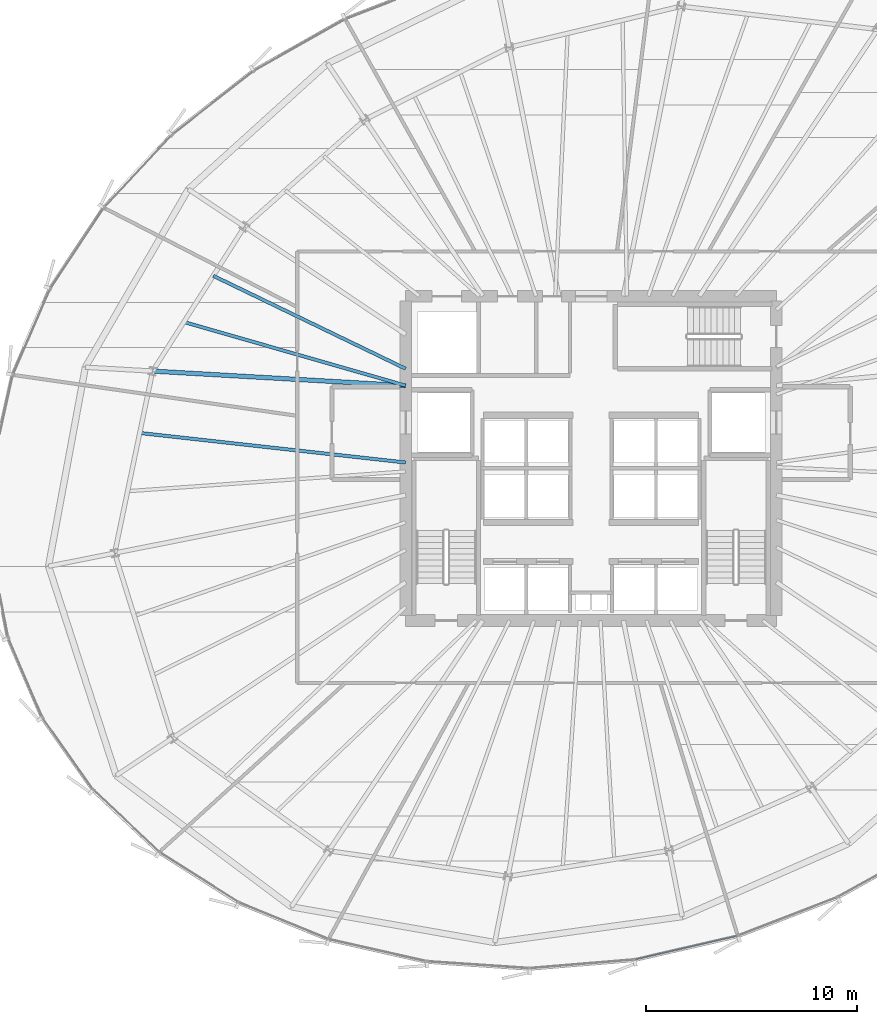
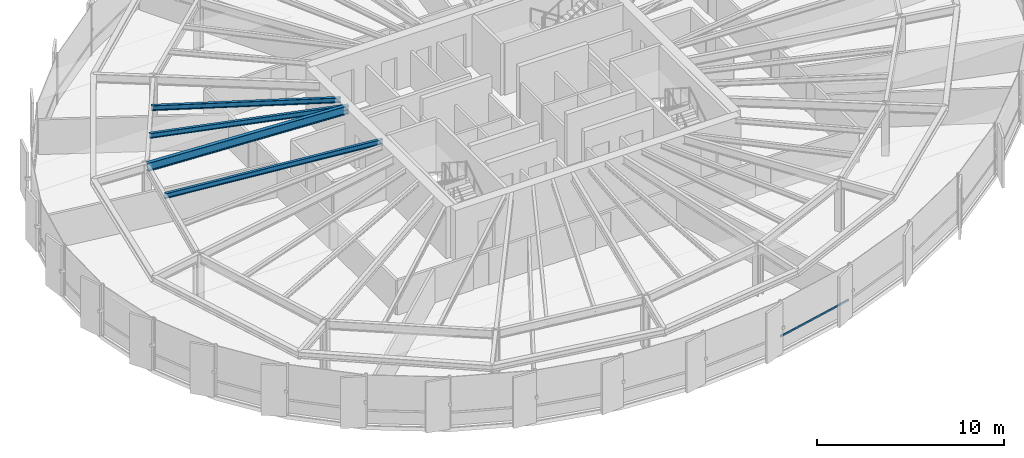
# One storey, part 11 of 35: 4 beams, 1 member, 1 element without a shape of its own.
"""IFC4 building model written with IfcOpenShell, lengths in metres."""

from ifc_helpers import new_model, si_unit, direction, frame, origin, origin_2d, place, context, subcontext, project, spatial, hollow_rectangle, i_section, extrude, source, transform, mapped, material, layer, layer_set, material_profile, profile_set, type_object, element, aggregate, save


model = new_model("IFC4")

# Units and contexts
model_context = context("Model", 3, precision=1e-05, world=origin(), true_north=direction((0.0, 1.0)))
body_context = subcontext(model_context, "Body", "Model", "MODEL_VIEW")
ifc_project = project(units=[si_unit("LENGTHUNIT", "METRE"), si_unit("AREAUNIT", "SQUARE_METRE"), si_unit("VOLUMEUNIT", "CUBIC_METRE"), si_unit("PLANEANGLEUNIT", "RADIAN"), si_unit("MASSUNIT", "GRAM", prefix="KILO"), si_unit("THERMODYNAMICTEMPERATUREUNIT", "KELVIN")], contexts=[model_context])

# Site, building, storey
site_placement = place(None, origin())
site = spatial("IfcSite", under=ifc_project, at=site_placement, CompositionType="ELEMENT")
building_placement = place(site_placement, origin())
building = spatial("IfcBuilding", under=site, at=building_placement, Name="Kethvar Cultural Tower", CompositionType="ELEMENT")
storey_placement = place(building_placement, frame((0.0, 0.0, 103.60009765625)))
storey = spatial("IfcBuildingStorey", under=building, at=storey_placement, Name="L25", CompositionType="ELEMENT", Elevation=103.60009765625)

# Beams
ifc_material_1 = material(Name="Steel S355J2", Category="steel")
ifc_material_profile_1 = material_profile(ifc_material_1, i_section(OverallWidth=0.2099609375, OverallDepth=0.550048828125, WebThickness=0.010986328125, FlangeThickness=0.01708984375, FilletRadius=0.02392578125, at=origin_2d()), Name="Steel S355J2 — IPE550")
ifc_profile_set_1 = profile_set([ifc_material_profile_1], Name="Steel S355J2 — IPE550")
beam_type_1 = type_object("IfcBeamType", Name="BM-IPE550", PredefinedType="BEAM", material=ifc_profile_set_1)
shared_shape_1 = source(origin(), body_context, "Body", "SweptSolid", [
    extrude(i_section(OverallWidth=0.2099609375, OverallDepth=0.550048828125, WebThickness=0.010986328125, FlangeThickness=0.01708984375, FilletRadius=0.02392578125, at=origin_2d()), origin(), (0.0, 0.0, 1.0), 12.03125),
])
beam_1_placement = place(storey_placement, frame((38.0, 31.25, 3.072998046875), z_axis=(-0.998355544741, 0.057325441856, 0.0), x_axis=(-0.057325441856, -0.998355544741, 0.0)))
element("IfcBeam", 1, at=beam_1_placement, inside=storey, type_object=beam_type_1, Name="L25 Primary Radial Beam RB-08", PredefinedType="BEAM", context=body_context, shape_type="MappedRepresentation", body=[
    mapped(shared_shape_1, transform((0.0, 0.0, 0.0), scale=1.0)),
])
ifc_material_profile_2 = material_profile(ifc_material_1, i_section(OverallWidth=0.159912109375, OverallDepth=0.330078125, WebThickness=0.007568359375, FlangeThickness=0.011474609375, FilletRadius=0.01806640625, at=origin_2d()), Name="Steel S355J2 — IPE330")
ifc_profile_set_2 = profile_set([ifc_material_profile_2], Name="Steel S355J2 — IPE330")
beam_type_2 = type_object("IfcBeamType", Name="BM-J330", PredefinedType="JOIST", material=ifc_profile_set_2)
shared_shape_2 = source(origin(), body_context, "Body", "SweptSolid", [
    extrude(i_section(OverallWidth=0.159912109375, OverallDepth=0.330078125, WebThickness=0.007568359375, FlangeThickness=0.011474609375, FilletRadius=0.01806640625, at=origin_2d()), origin(), (0.0, 0.0, 1.0), 10.1455078125),
])
beam_2_placement = place(storey_placement, frame((38.0, 32.05078125, 3.182861328125), z_axis=(-0.90045122575, 0.434956997927, 0.0), x_axis=(-0.434956997927, -0.90045122575, 0.0)))
element("IfcBeam", 2, at=beam_2_placement, inside=storey, type_object=beam_type_2, Name="L25 Composite Floor Joist J-07A", PredefinedType="JOIST", context=body_context, shape_type="MappedRepresentation", body=[
    mapped(shared_shape_2, transform((0.0, 0.0, 0.0), scale=1.0)),
])
shared_shape_3 = source(origin(), body_context, "Body", "SweptSolid", [
    extrude(i_section(OverallWidth=0.159912109375, OverallDepth=0.330078125, WebThickness=0.007568359375, FlangeThickness=0.011474609375, FilletRadius=0.01806640625, at=origin_2d()), origin(), (0.0, 0.0, 1.0), 10.95458984375),
])
beam_3_placement = place(storey_placement, frame((38.0, 31.25, 3.182861328125), z_axis=(-0.96124170623, 0.275707058676, 0.0), x_axis=(-0.275707058676, -0.96124170623, 0.0)))
element("IfcBeam", 3, at=beam_3_placement, inside=storey, type_object=beam_type_2, Name="L25 Composite Floor Joist J-07B", PredefinedType="JOIST", context=body_context, shape_type="MappedRepresentation", body=[
    mapped(shared_shape_3, transform((0.0, 0.0, 0.0), scale=1.0)),
])
shared_shape_4 = source(origin(), body_context, "Body", "SweptSolid", [
    extrude(i_section(OverallWidth=0.159912109375, OverallDepth=0.330078125, WebThickness=0.007568359375, FlangeThickness=0.011474609375, FilletRadius=0.01806640625, at=origin_2d()), origin(), (0.0, 0.0, 1.0), 12.7021484375),
])
beam_4_placement = place(storey_placement, frame((38.0, 27.60009765625, 3.182861328125), z_axis=(-0.993884906591, 0.110420978309, 0.0), x_axis=(-0.110420978309, -0.993884906591, 0.0)))
element("IfcBeam", 4, at=beam_4_placement, inside=storey, type_object=beam_type_2, Name="L25 Composite Floor Joist J-08A", PredefinedType="JOIST", context=body_context, shape_type="MappedRepresentation", body=[
    mapped(shared_shape_4, transform((0.0, 0.0, 0.0), scale=1.0)),
])

# Curtain wall, member
ifc_material_2 = material(Name="Aluminium 6063-T6", Category="aluminium")
ifc_layer = layer(ifc_material_2, 0.179931640625, Name="Aluminium 6063-T6", Category="aluminium")
ifc_layer_set = layer_set([ifc_layer], Name="Aluminium 6063-T6 (180 mm)")
curtain_wall_type = type_object("IfcCurtainWallType", Name="CW-SYS-03-Z2", PredefinedType="NOTDEFINED", material=ifc_layer_set)
curtain_wall_placement = place(storey_placement, origin())
curtain_wall = element("IfcCurtainWall", 5, at=curtain_wall_placement, inside=storey, type_object=curtain_wall_type, Name="L25 Curtain Wall Run 05", PredefinedType="NOTDEFINED")
ifc_material_profile_3 = material_profile(ifc_material_2, hollow_rectangle(XDim=0.054931640625, YDim=0.1201171875, WallThickness=0.00390625, at=origin_2d()), Name="Aluminium 6063-T6 — RHS120x55x4")
ifc_profile_set_3 = profile_set([ifc_material_profile_3], Name="Aluminium 6063-T6 — RHS120x55x4")
member_type = type_object("IfcMemberType", Name="CW-SYS-03-Z2-TRN", PredefinedType="USERDEFINED", material=ifc_profile_set_3)
shared_shape_5 = source(origin(), body_context, "Body", "SweptSolid", [
    extrude(hollow_rectangle(XDim=0.054931640625, YDim=0.1201171875, WallThickness=0.00390625, at=origin_2d()), origin(), (0.0, 0.0, 1.0), 4.9736328125),
])
member_placement = place(storey_placement, frame((48.8916015625, 4.01123046875, 0.949951171875), z_axis=(0.974377957049, 0.224916866458, 0.0), x_axis=(-0.224916866458, 0.974377957049, 0.0)))
member = element("IfcMember", 6, at=member_placement, type_object=member_type, Name="CW-L25-R05 Transom 3", ObjectType="TRANSOM", PredefinedType="USERDEFINED", context=body_context, shape_type="MappedRepresentation", body=[
    mapped(shared_shape_5, transform((0.0, 0.0, 0.0), scale=1.0)),
])
aggregate(curtain_wall, [member])

save(model, "model.ifc")
